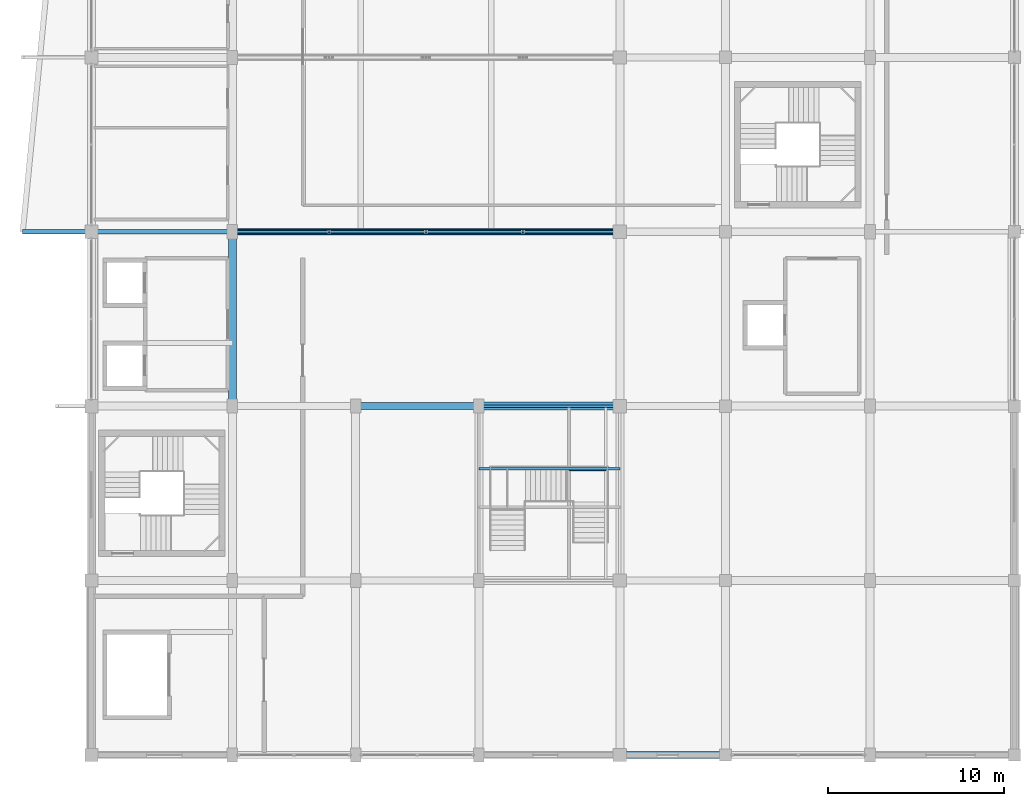
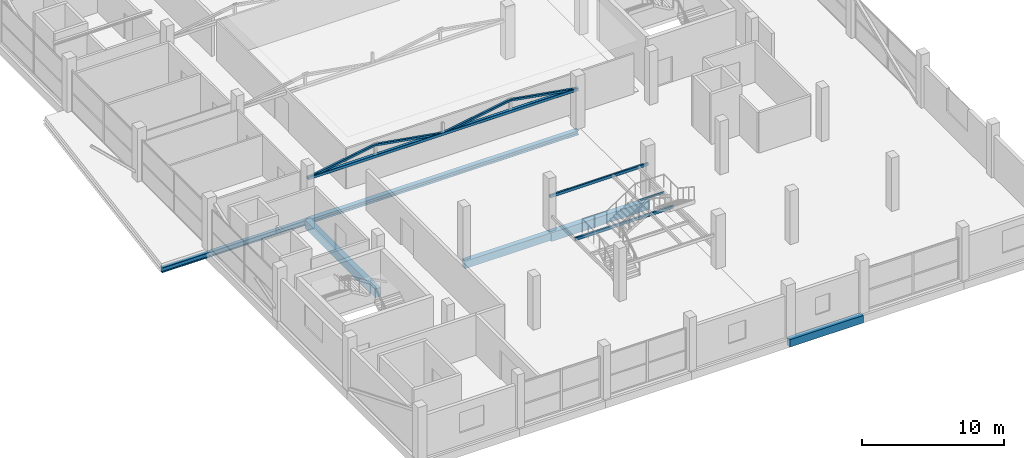
# One storey, part 9 of 58: 9 beams, 5 members.
"""IFC4 building model written with IfcOpenShell, lengths in metres."""

import ifcopenshell
import ifcopenshell.guid

model = None  # the IFC model being written
_history = None  # IfcOwnerHistory: only IFC2X3 demands one
_inside = {}  # id of a spatial element -> (the spatial element, [elements in it])
_under = {}  # id of a project, library or spatial element -> (it, [spatial elements below it])
_declared = {}  # id of a project -> (the project, [libraries it declares])
_typed = {}  # id of a type object -> (the type object, [elements of that type])
_made_of = {}  # id of a material, layer set ... -> (it, [elements and type objects made of it])


def new_model(schema):
    """Start an empty IFC model of exactly this schema.

    Asked for "IFC4X3", IfcOpenShell would pick the latest addendum, in which some entities
    have other attributes; the version numbers below select the first issue.
    IFC2X3 requires an IfcOwnerHistory on every rooted entity: one is made here for all.
    """
    global model, _history
    if schema == "IFC4X3":
        model = ifcopenshell.file(schema_version=(4, 3, 0, 0))
    else:
        model = ifcopenshell.file(schema=schema)
    _inside.clear()
    _under.clear()
    _declared.clear()
    _typed.clear()
    _made_of.clear()
    _history = None
    if model.schema == "IFC2X3":
        org = make("IfcOrganization", Name="unknown")
        user = make(
            "IfcPersonAndOrganization",
            ThePerson=make("IfcPerson", FamilyName="unknown"),
            TheOrganization=org,
        )
        app = make(
            "IfcApplication",
            ApplicationDeveloper=org,
            Version="unknown",
            ApplicationFullName="unknown",
            ApplicationIdentifier="unknown",
        )
        _history = make(
            "IfcOwnerHistory",
            OwningUser=user,
            OwningApplication=app,
            ChangeAction="ADDED",
            CreationDate=0,
        )
    return model


def make(cls, **values):
    """One entity of the class cls with the attributes given. An attribute that is None is left unset."""
    return model.create_entity(
        cls, **{name: value for name, value in values.items() if value is not None}
    )


def rooted(cls, **values):
    """An entity with a GlobalId (a new one), such as an element, a storey or a relation."""
    return make(cls, GlobalId=ifcopenshell.guid.new(), OwnerHistory=_history, **values)


def si_unit(unit_type, name, prefix=None):
    """IfcSIUnit, for example si_unit("LENGTHUNIT", "METRE", prefix="MILLI")."""
    return make("IfcSIUnit", UnitType=unit_type, Prefix=prefix, Name=name)


def assignment(units):
    """IfcUnitAssignment: the units of a project."""
    return None if units is None else make("IfcUnitAssignment", Units=units)


def point(xyz):
    """IfcCartesianPoint."""
    return None if xyz is None else make("IfcCartesianPoint", Coordinates=xyz)


def direction(xyz):
    """IfcDirection."""
    return None if xyz is None else make("IfcDirection", DirectionRatios=xyz)


def frame(location, z_axis=None, x_axis=None):
    """IfcAxis2Placement3D, a coordinate frame: its origin and axes. An axis left out is left unset."""
    return make(
        "IfcAxis2Placement3D",
        Location=point(location),
        Axis=direction(z_axis),
        RefDirection=direction(x_axis),
    )


def frame_2d(location, x_axis=None):
    """IfcAxis2Placement2D, a coordinate frame in the plane: its origin and x axis."""
    return make(
        "IfcAxis2Placement2D", Location=point(location), RefDirection=direction(x_axis)
    )


def origin():
    """The frame at (0, 0, 0) with its axes left unset."""
    return frame((0.0, 0.0, 0.0))


def origin_2d():
    """The frame at (0, 0) in the plane with its x axis left unset."""
    return frame_2d((0.0, 0.0))


def place(relative_to, where):
    """IfcLocalPlacement: puts the frame where relative to a parent placement (None: the world)."""
    return make(
        "IfcLocalPlacement", PlacementRelTo=relative_to, RelativePlacement=where
    )


def context(
    kind, dimensions, precision=None, world=None, true_north=None, identifier=None
):
    """IfcGeometricRepresentationContext, for example the 3D "Model" context."""
    return make(
        "IfcGeometricRepresentationContext",
        ContextIdentifier=identifier,
        ContextType=kind,
        CoordinateSpaceDimension=dimensions,
        Precision=precision,
        WorldCoordinateSystem=world,
        TrueNorth=true_north,
    )


def subcontext(parent, identifier, kind, view, scale=None):
    """IfcGeometricRepresentationSubContext, for example "Body" below "Model"."""
    return make(
        "IfcGeometricRepresentationSubContext",
        ContextIdentifier=identifier,
        ContextType=kind,
        ParentContext=parent,
        TargetScale=scale,
        TargetView=view,
    )


def project(units=None, contexts=None):
    """IfcProject with its units and contexts."""
    return rooted(
        "IfcProject",
        Name="project",
        RepresentationContexts=contexts,
        UnitsInContext=assignment(units),
    )


def spatial(cls, under=None, at=None, **own):
    """A site, building, storey or space (cls), placed at a placement, below another one or the project."""
    s = rooted(cls, ObjectPlacement=at, **own)
    if under is not None:
        _under.setdefault(under.id(), (under, []))[1].append(s)
    return s


def profile(cls, at=None, kind="AREA", **sizes):
    """A parametric profile (cls). Its sizes go by their IFC names, for example OverallWidth=200.0."""
    return make(cls, ProfileType=kind, Position=at, **sizes)


def rectangle(**sizes):
    """IfcRectangleProfileDef."""
    return profile("IfcRectangleProfileDef", **sizes)


def hollow_rectangle(**sizes):
    """IfcRectangleHollowProfileDef."""
    return profile("IfcRectangleHollowProfileDef", **sizes)


def i_section(**sizes):
    """IfcIShapeProfileDef."""
    return profile("IfcIShapeProfileDef", **sizes)


def extrude(swept, where, along, depth):
    """IfcExtrudedAreaSolid: the profile swept, set in the frame where, extruded along a direction by depth."""
    return make(
        "IfcExtrudedAreaSolid",
        SweptArea=swept,
        Position=where,
        ExtrudedDirection=direction(along),
        Depth=depth,
    )


def shape(context_of_items, identifier, shape_type, items):
    """IfcShapeRepresentation: the items that make up one representation, for example the "Body"."""
    return make(
        "IfcShapeRepresentation",
        ContextOfItems=context_of_items,
        RepresentationIdentifier=identifier,
        RepresentationType=shape_type,
        Items=items,
    )


def material(Name=None, Category=None):
    """IfcMaterial."""
    return make("IfcMaterial", Name=Name, Category=Category)


def material_profile(
    of_material, cross_section, Name=None, Category=None, Priority=None
):
    """IfcMaterialProfile: a cross section and its material."""
    return make(
        "IfcMaterialProfile",
        Name=Name,
        Material=of_material,
        Profile=cross_section,
        Priority=Priority,
        Category=Category,
    )


def profile_set(profiles, Name=None, composite=None):
    """IfcMaterialProfileSet."""
    return make(
        "IfcMaterialProfileSet",
        Name=Name,
        MaterialProfiles=profiles,
        CompositeProfile=composite,
    )


def made_of(thing, what):
    """Note that an element or type object is made of a material, layer set ...; save() writes the relation."""
    if what is not None:
        _made_of.setdefault(what.id(), (what, []))[1].append(thing)
    return thing


def type_object(cls, material=None, **own):
    """A type object (cls), such as IfcWallType, which elements share."""
    return made_of(rooted(cls, **own), material)


def element(
    cls,
    number,
    at=None,
    inside=None,
    cuts=None,
    type_object=None,
    material=None,
    context=None,
    identifier="Body",
    shape_type=None,
    held_by="IfcProductDefinitionShape",
    body=None,
    shapes=None,
    **own,
):
    """One element of the class cls, such as IfcWall. Its Tag is "e" and its number.

    at: its placement. inside: the storey or other place that contains it. cuts: it is an
    opening in that element (IfcRelVoidsElement). A single representation is given by context,
    identifier, shape_type and body (its items); several are given by shapes. held_by: the class
    of the entity that holds the representations. save() writes the other relations.
    """
    e = rooted(cls, Tag="e%d" % number, ObjectPlacement=at, **own)
    if body is not None:
        shapes = [shape(context, identifier, shape_type, body)]
    if shapes is not None:
        e.Representation = make(held_by, Representations=shapes)
    if inside is not None:
        _inside.setdefault(inside.id(), (inside, []))[1].append(e)
    if cuts is not None:
        rooted(
            "IfcRelVoidsElement", RelatingBuildingElement=cuts, RelatedOpeningElement=e
        )
    if type_object is not None:
        _typed.setdefault(type_object.id(), (type_object, []))[1].append(e)
    return made_of(e, material)


def aggregate(whole, parts):
    """IfcRelAggregates: a whole, such as a stair, and the parts it consists of."""
    return rooted("IfcRelAggregates", RelatingObject=whole, RelatedObjects=parts)


def save(model, path):
    """Write the relations noted so far, then the file.

    IfcRelAggregates (storeys below a building ...), IfcRelContainedInSpatialStructure (elements
    in a storey), IfcRelDefinesByType, IfcRelAssociatesMaterial and IfcRelDeclares: one each for
    every whole, place, type object, material and project.
    """
    for whole, parts in _under.values():
        aggregate(whole, parts)
    for where, things in _inside.values():
        rooted(
            "IfcRelContainedInSpatialStructure",
            RelatedElements=things,
            RelatingStructure=where,
        )
    for kind, things in _typed.values():
        rooted("IfcRelDefinesByType", RelatedObjects=things, RelatingType=kind)
    for what, things in _made_of.values():
        rooted("IfcRelAssociatesMaterial", RelatedObjects=things, RelatingMaterial=what)
    for by, libraries in _declared.values():
        rooted("IfcRelDeclares", RelatingContext=by, RelatedDefinitions=libraries)
    model.write(path)


model = new_model("IFC4")

# Units and contexts
model_context = context("Model", 3, precision=1e-05, world=origin(), true_north=direction((0.0, 1.0)))
body_context = subcontext(model_context, "Body", "Model", "MODEL_VIEW")
ifc_project = project(units=[si_unit("LENGTHUNIT", "METRE"), si_unit("AREAUNIT", "SQUARE_METRE"), si_unit("VOLUMEUNIT", "CUBIC_METRE"), si_unit("PLANEANGLEUNIT", "RADIAN"), si_unit("MASSUNIT", "GRAM", prefix="KILO")], contexts=[model_context])

# Site, building, storey
site_placement = place(None, origin())
site = spatial("IfcSite", under=ifc_project, at=site_placement, CompositionType="ELEMENT")
building_placement = place(site_placement, origin())
building = spatial("IfcBuilding", under=site, at=building_placement, Name="Sillaruma Civic Art Gallery", CompositionType="ELEMENT")
storey_placement = place(building_placement, frame((0.0, 0.0, 28.56005859375)))
storey = spatial("IfcBuildingStorey", under=building, at=storey_placement, Name="L05", CompositionType="ELEMENT", Elevation=28.56005859375)

# Beams
ifc_material_1 = material(Name="Concrete H35 (35 MPa)", Category="concrete")
ifc_material_profile_1 = material_profile(ifc_material_1, rectangle(XDim=0.39990234375, YDim=0.64990234375, at=origin_2d()), Name="RCB400x650")
ifc_profile_set_1 = profile_set([ifc_material_profile_1], Name="Concrete H35 (35 MPa)")
beam_type_1 = type_object("IfcBeamType", Name="BM-BEAM-RCB400x650", PredefinedType="BEAM", material=ifc_profile_set_1)
beam_1_placement = place(storey_placement, frame((77.0, 39.60009765625, -0.60498046875), z_axis=(1.0, 0.0, 0.0), x_axis=(0.0, 1.0, 0.0)))
element("IfcBeam", 1, at=beam_1_placement, inside=storey, type_object=beam_type_1, Name="Beam BM-05 (L04:5:H-J)", PredefinedType="BEAM", context=body_context, shape_type="SweptSolid", body=[
    extrude(rectangle(XDim=0.39990234375, YDim=0.64990234375, at=origin_2d()), origin(), (0.0, 0.0, 1.0), 7.0),
])
ifc_material_2 = material(Name="Concrete H40 (40 MPa)", Category="concrete")
ifc_material_profile_2 = material_profile(ifc_material_2, rectangle(XDim=0.449951171875, YDim=0.75, at=origin_2d()), Name="RCB450x750")
ifc_profile_set_2 = profile_set([ifc_material_profile_2], Name="Concrete H40 (40 MPa)")
beam_type_2 = type_object("IfcBeamType", Name="BM-BEAM-RCB450x750", PredefinedType="BEAM", material=ifc_profile_set_2)
beam_2_placement = place(storey_placement, frame((84.0, 39.60009765625, -0.655029296875), z_axis=(1.0, 0.0, 0.0), x_axis=(0.0, 1.0, 0.0)))
element("IfcBeam", 2, at=beam_2_placement, inside=storey, type_object=beam_type_2, Name="Beam BM-03 (L04:5:J-K)", PredefinedType="BEAM", context=body_context, shape_type="SweptSolid", body=[
    extrude(rectangle(XDim=0.449951171875, YDim=0.75, at=origin_2d()), origin(), (0.0, 0.0, 1.0), 8.0),
])
beam_3_placement = place(storey_placement, frame((70.0, 39.60009765625, -0.655029296875), z_axis=(0.0, 1.0, 0.0), x_axis=(-1.0, 0.0, 0.0)))
element("IfcBeam", 3, at=beam_3_placement, inside=storey, type_object=beam_type_2, Name="Beam BM-03 (L04:G:5-6)", PredefinedType="BEAM", context=body_context, shape_type="SweptSolid", body=[
    extrude(rectangle(XDim=0.449951171875, YDim=0.75, at=origin_2d()), origin(), (0.0, 0.0, 1.0), 9.89990234375),
])
ifc_material_3 = material(Name="Structural Steel ASTM A500 Gr.C", Category="steel")
ifc_material_profile_3 = material_profile(ifc_material_3, hollow_rectangle(XDim=0.080078125, YDim=0.159912109375, WallThickness=0.008056640625, InnerFilletRadius=0.008056640625, OuterFilletRadius=0.01611328125, at=origin_2d()), Name="HSS160x80x8")
ifc_profile_set_3 = profile_set([ifc_material_profile_3], Name="Structural Steel ASTM A500 Gr.C")
beam_type_3 = type_object("IfcBeamType", Name="BM-FS-HSS160", PredefinedType="BEAM", material=ifc_profile_set_3)
beam_4_placement = place(storey_placement, frame((89.110107421875, 35.949951171875, 2.794921875), z_axis=(1.0, 0.0, 0.0), x_axis=(0.0, 1.0, 0.0)))
element("IfcBeam", 4, at=beam_4_placement, inside=storey, type_object=beam_type_3, Name="Feature Stair L2 Spreader (ST-G02)", PredefinedType="BEAM", context=body_context, shape_type="SweptSolid", body=[
    extrude(hollow_rectangle(XDim=0.080078125, YDim=0.159912109375, WallThickness=0.008056640625, InnerFilletRadius=0.008056640625, OuterFilletRadius=0.01611328125, at=origin_2d()), origin(), (0.0, 0.0, 1.0), 2.08984375),
])
ifc_material_profile_4 = material_profile(ifc_material_3, hollow_rectangle(XDim=0.14990234375, YDim=0.25, WallThickness=0.010009765625, InnerFilletRadius=0.010009765625, OuterFilletRadius=0.02001953125, at=origin_2d()), Name="HSS250x150x10")
ifc_profile_set_4 = profile_set([ifc_material_profile_4], Name="Structural Steel ASTM A500 Gr.C")
beam_type_4 = type_object("IfcBeamType", Name="BM-LND-HSS200", PredefinedType="BEAM", material=ifc_profile_set_4)
for number, where, z_axis, x_axis, name in (
    (5, (84.0, 36.050048828125, 1.219970703125), (1.0, 0.0, 0.0), (0.0, 1.0, 0.0), "Feature Stair L1 Girder (ST-G02-2)"),
    (6, (84.0, 39.60009765625, 2.75), (1.0, 0.0, 0.0), (0.0, 1.0, 0.0), "Feature Stair L2 Rail (ST-G02-N)"),
):
    element("IfcBeam", number, at=place(storey_placement, frame(where, z_axis=z_axis, x_axis=x_axis)), inside=storey, type_object=beam_type_4, Name=name, PredefinedType="BEAM", context=body_context, shape_type="SweptSolid", body=[
        extrude(hollow_rectangle(XDim=0.14990234375, YDim=0.25, WallThickness=0.010009765625, InnerFilletRadius=0.010009765625, OuterFilletRadius=0.02001953125, at=origin_2d()), origin(), (0.0, 0.0, 1.0), 8.0),
    ])
ifc_material_4 = material(Name="Structural Steel ASTM A992 Gr.50", Category="steel")
ifc_material_profile_5 = material_profile(ifc_material_4, i_section(OverallWidth=0.264892578125, OverallDepth=0.430908203125, WebThickness=0.014892578125, FlangeThickness=0.02490234375, FilletRadius=0.012939453125, at=origin_2d()), Name="W410x149")
ifc_profile_set_5 = profile_set([ifc_material_profile_5], Name="Structural Steel ASTM A992 Gr.50")
beam_type_5 = type_object("IfcBeamType", Name="BM-PROW-W410x149", PredefinedType="BEAM", material=ifc_profile_set_5)
beam_5_placement = place(storey_placement, frame((70.0, 49.5, -0.49560546875), z_axis=(-1.0, 0.0, 0.0), x_axis=(0.0, -1.0, 0.0)))
element("IfcBeam", 7, at=beam_5_placement, inside=storey, type_object=beam_type_5, Name="Back-Spanned Prow Beam (PRW-L04-W-ROF-S)", PredefinedType="BEAM", context=body_context, shape_type="SweptSolid", body=[
    extrude(i_section(OverallWidth=0.264892578125, OverallDepth=0.430908203125, WebThickness=0.014892578125, FlangeThickness=0.02490234375, FilletRadius=0.012939453125, at=origin_2d()), origin(), (0.0, 0.0, 1.0), 11.89990234375),
])
ifc_material_profile_6 = material_profile(ifc_material_1, rectangle(XDim=0.39990234375, YDim=0.64990234375, at=origin_2d()), Name="RCB400x650")
ifc_profile_set_6 = profile_set([ifc_material_profile_6], Name="Concrete H35 (35 MPa)")
beam_type_6 = type_object("IfcBeamType", Name="BM-SPANDREL-RCB400x650", PredefinedType="SPANDREL", material=ifc_profile_set_6)
beam_6_placement = place(storey_placement, frame((92.0, 19.800048828125, -0.60498046875), z_axis=(1.0, 0.0, 0.0), x_axis=(0.0, 1.0, 0.0)))
element("IfcBeam", 8, at=beam_6_placement, inside=storey, type_object=beam_type_6, Name="Beam BS-02 (L04:3:K-L)", PredefinedType="SPANDREL", context=body_context, shape_type="SweptSolid", body=[
    extrude(rectangle(XDim=0.39990234375, YDim=0.64990234375, at=origin_2d()), origin(), (0.0, 0.0, 1.0), 6.0),
])
ifc_material_profile_7 = material_profile(ifc_material_4, i_section(OverallWidth=0.3740234375, OverallDepth=0.3720703125, WebThickness=0.016357421875, FlangeThickness=0.026123046875, FilletRadius=0.014892578125, at=origin_2d()), Name="W360x196")
ifc_profile_set_7 = profile_set([ifc_material_profile_7], Name="Structural Steel ASTM A992 Gr.50")
beam_type_7 = type_object("IfcBeamType", Name="BM-TRTOP-W360x196", PredefinedType="BEAM", material=ifc_profile_set_7)
beam_7_placement = place(storey_placement, frame((70.0, 49.5, -0.466064453125), z_axis=(1.0, 0.0, 0.0), x_axis=(0.0, 1.0, 0.0)))
element("IfcBeam", 9, at=beam_7_placement, inside=storey, type_object=beam_type_7, Name="Warren Truss Top Chord TR-L04-1", PredefinedType="BEAM", context=body_context, shape_type="SweptSolid", body=[
    extrude(i_section(OverallWidth=0.3740234375, OverallDepth=0.3720703125, WebThickness=0.016357421875, FlangeThickness=0.026123046875, FilletRadius=0.014892578125, at=origin_2d()), origin(), (0.0, 0.0, 1.0), 22.0),
])

# Members
ifc_material_profile_8 = material_profile(ifc_material_3, hollow_rectangle(XDim=0.179931640625, YDim=0.179931640625, WallThickness=0.010009765625, InnerFilletRadius=0.010009765625, OuterFilletRadius=0.02001953125, at=origin_2d()), Name="HSS180x180x10")
ifc_profile_set_8 = profile_set([ifc_material_profile_8], Name="Structural Steel ASTM A500 Gr.C")
member_type_1 = type_object("IfcMemberType", Name="MEM-BRACE-HSS180x180x10", PredefinedType="BRACE", material=ifc_profile_set_8)
for number, where, z_axis, x_axis, name in (
    (10, (70.0, 49.5, 3.224853515625), (0.985614551455, 0.0, 0.169008745218), (0.0, 1.0, 0.0), "Warren Truss Diagonal TR-L05-1-D1"),
    (11, (75.5, 49.5, 4.16796875), (0.985614551455, 0.0, -0.169008745218), (0.0, 1.0, 0.0), "Warren Truss Diagonal TR-L05-1-D2"),
    (12, (81.0, 49.5, 3.224853515625), (0.985614551455, 0.0, 0.169008745218), (0.0, 1.0, 0.0), "Warren Truss Diagonal TR-L05-1-D3"),
    (13, (86.5, 49.5, 4.16796875), (0.985614551455, 0.0, -0.169008745218), (0.0, 1.0, 0.0), "Warren Truss Diagonal TR-L05-1-D4"),
):
    element("IfcMember", number, at=place(storey_placement, frame(where, z_axis=z_axis, x_axis=x_axis)), inside=storey, type_object=member_type_1, Name=name, PredefinedType="BRACE", context=body_context, shape_type="SweptSolid", body=[
        extrude(hollow_rectangle(XDim=0.179931640625, YDim=0.179931640625, WallThickness=0.010009765625, InnerFilletRadius=0.010009765625, OuterFilletRadius=0.02001953125, at=origin_2d()), origin(), (0.0, 0.0, 1.0), 5.580322265625),
    ])
ifc_material_profile_9 = material_profile(ifc_material_3, hollow_rectangle(XDim=0.25, YDim=0.25, WallThickness=0.012451171875, InnerFilletRadius=0.012451171875, OuterFilletRadius=0.02490234375, at=origin_2d()), Name="HSS250x250x12.5")
ifc_profile_set_9 = profile_set([ifc_material_profile_9], Name="Structural Steel ASTM A500 Gr.C")
member_type_2 = type_object("IfcMemberType", Name="MEM-CHORD-HSS250x250x12.5", PredefinedType="CHORD", material=ifc_profile_set_9)
member_placement = place(storey_placement, frame((70.0, 49.5, 3.224853515625), z_axis=(1.0, 0.0, 0.0), x_axis=(0.0, 1.0, 0.0)))
element("IfcMember", 14, at=member_placement, inside=storey, type_object=member_type_2, Name="Warren Truss Bottom Chord TR-L05-1", PredefinedType="CHORD", context=body_context, shape_type="SweptSolid", body=[
    extrude(hollow_rectangle(XDim=0.25, YDim=0.25, WallThickness=0.012451171875, InnerFilletRadius=0.012451171875, OuterFilletRadius=0.02490234375, at=origin_2d()), origin(), (0.0, 0.0, 1.0), 22.0),
])

save(model, "model.ifc")
